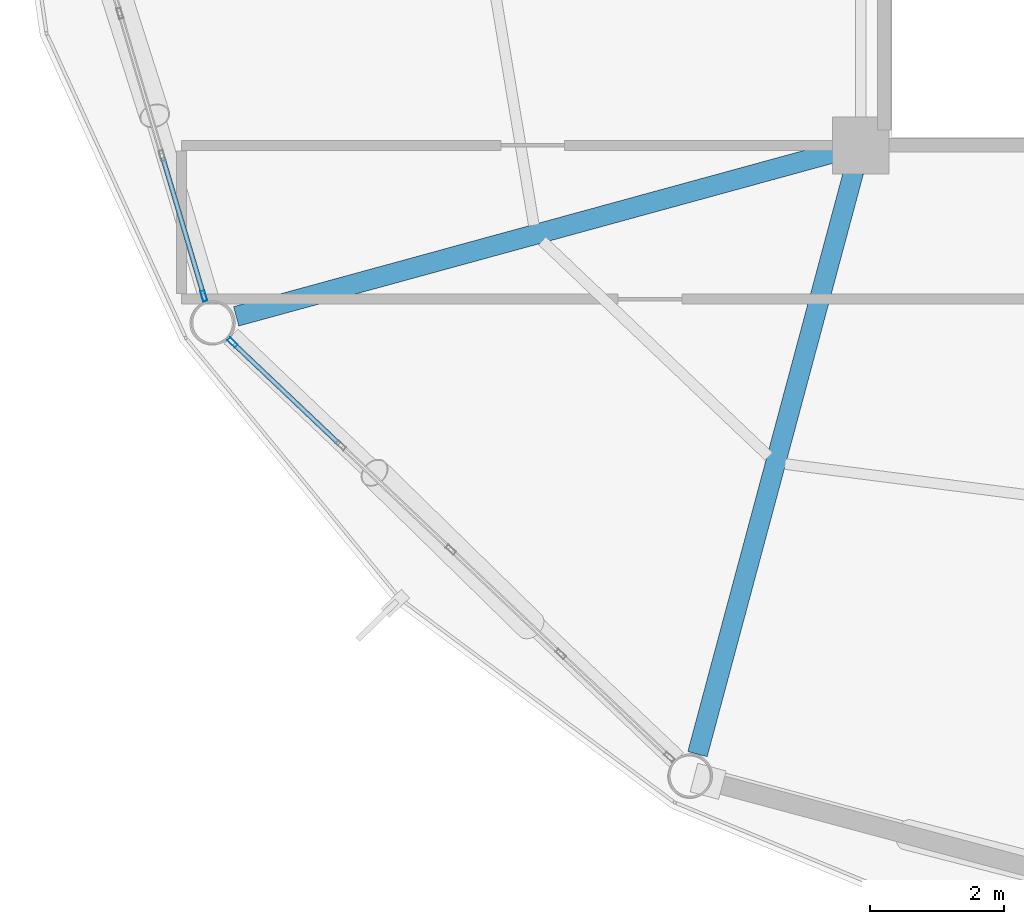
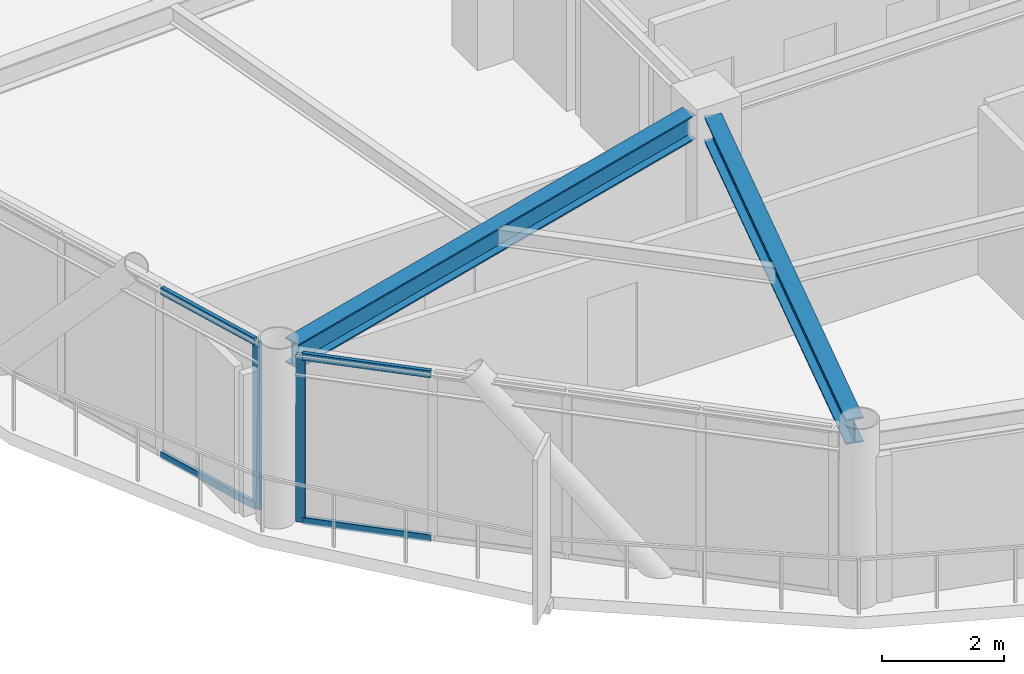
# One storey, part 4 of 28: 6 members, 2 beams, 2 elements without a shape of their own.
"""IFC4 building model written with IfcOpenShell, lengths in metres."""

from ifc_helpers import new_model, si_unit, direction, frame, origin, origin_2d, place, context, subcontext, project, spatial, hollow_rectangle, i_section, extrude, material, layer, layer_set, material_profile, profile_set, type_object, element, aggregate, save


model = new_model("IFC4")

# Units and contexts
model_context = context("Model", 3, precision=1e-05, world=origin(), true_north=direction((0.0, 1.0)))
body_context = subcontext(model_context, "Body", "Model", "MODEL_VIEW")
ifc_project = project(units=[si_unit("LENGTHUNIT", "METRE"), si_unit("AREAUNIT", "SQUARE_METRE"), si_unit("VOLUMEUNIT", "CUBIC_METRE"), si_unit("PLANEANGLEUNIT", "RADIAN"), si_unit("MASSUNIT", "GRAM", prefix="KILO")], contexts=[model_context])

# Site, building, storey
site_placement = place(None, origin())
site = spatial("IfcSite", under=ifc_project, at=site_placement, CompositionType="ELEMENT")
building_placement = place(site_placement, origin())
building = spatial("IfcBuilding", under=site, at=building_placement, Name="Varnakorn Sky Granary", CompositionType="ELEMENT")
storey_placement = place(building_placement, frame((0.0, 0.0, 186.0)))
storey = spatial("IfcBuildingStorey", under=building, at=storey_placement, Name="L46", CompositionType="ELEMENT", Elevation=186.0)

# Beams
ifc_material_1 = material(Name="Steel S355JR", Category="steel")
ifc_material_profile_1 = material_profile(ifc_material_1, i_section(OverallWidth=0.300048828125, OverallDepth=0.5, WebThickness=0.014404296875, FlangeThickness=0.028076171875, at=origin_2d()), Name="HE 500 B")
ifc_profile_set_1 = profile_set([ifc_material_profile_1], Name="Steel S355JR")
beam_type = type_object("IfcBeamType", Name="BM-RAD-Z4", PredefinedType="BEAM", material=ifc_profile_set_1)
beam_1_placement = place(storey_placement, frame((-2.740478515625, -6.70703125, 3.110107421875), z_axis=(-0.964483830461, -0.264141895159, 0.0), x_axis=(0.264141895159, -0.964483830461, 0.0)))
element("IfcBeam", 1, at=beam_1_placement, inside=storey, type_object=beam_type, Name="Radial Floor Girder RG08 L46", PredefinedType="BEAM", context=body_context, shape_type="SweptSolid", body=[
    extrude(i_section(OverallWidth=0.300048828125, OverallDepth=0.5, WebThickness=0.014404296875, FlangeThickness=0.028076171875, at=origin_2d()), origin(), (0.0, 0.0, 1.0), 9.274169921875),
])
beam_2_placement = place(storey_placement, frame((-2.454833984375, -6.9912109375, 3.110107421875), z_axis=(-0.259020751431, -0.965871756668, 0.0), x_axis=(0.965871756668, -0.259020751431, 0.0)))
element("IfcBeam", 2, at=beam_2_placement, inside=storey, type_object=beam_type, Name="Radial Floor Girder RG09 L46", PredefinedType="BEAM", context=body_context, shape_type="SweptSolid", body=[
    extrude(i_section(OverallWidth=0.300048828125, OverallDepth=0.5, WebThickness=0.014404296875, FlangeThickness=0.028076171875, at=origin_2d()), origin(), (0.0, 0.0, 1.0), 9.016357421875),
])

# Curtain wall, member
ifc_material_2 = material(Name="Anodised Bronze Aluminium Alloy 6063-T6", Category="aluminium")
ifc_layer = layer(ifc_material_2, 0.169921875, Name="Anodised Bronze Aluminium Alloy 6063-T6")
ifc_layer_set = layer_set([ifc_layer], Name="Anodised Bronze Aluminium Alloy 6063-T6")
curtain_wall_type = type_object("IfcCurtainWallType", Name="CW-LAB-1", PredefinedType="USERDEFINED", material=ifc_layer_set)
curtain_wall_1_placement = place(storey_placement, origin())
curtain_wall_1 = element("IfcCurtainWall", 3, at=curtain_wall_1_placement, inside=storey, type_object=curtain_wall_type, Name="Unitised Curtain Wall CW5 CW-L46-B07", ObjectType="CURTAIN WALL", PredefinedType="USERDEFINED")
ifc_material_profile_2 = material_profile(ifc_material_2, hollow_rectangle(XDim=0.06494140625, YDim=0.159912109375, WallThickness=0.00341796875, at=origin_2d()), Name="ALU MULL 65x160")
ifc_profile_set_2 = profile_set([ifc_material_profile_2], Name="Anodised Bronze Aluminium Alloy 6063-T6")
member_type_1 = type_object("IfcMemberType", Name="CW-LAB-1-MULL", PredefinedType="MULLION", material=ifc_profile_set_2)
member_1_placement = place(storey_placement, frame((-12.168212890625, -8.8515625, 0.0), z_axis=(0.0, 0.0, 1.0), x_axis=(-0.958613672651, -0.28471007465, 0.0)))
member_1 = element("IfcMember", 4, at=member_1_placement, type_object=member_type_1, Name="CW5 mullion 1", PredefinedType="MULLION", context=body_context, shape_type="SweptSolid", body=[
    extrude(hollow_rectangle(XDim=0.06494140625, YDim=0.159912109375, WallThickness=0.00341796875, at=origin_2d()), origin(), (0.0, 0.0, 1.0), 3.360107421875),
])

curtain_wall_2_placement = place(storey_placement, origin())
curtain_wall_2 = element("IfcCurtainWall", 5, at=curtain_wall_2_placement, inside=storey, type_object=curtain_wall_type, Name="Unitised Curtain Wall CW5 CW-L46-B08", ObjectType="CURTAIN WALL", PredefinedType="USERDEFINED")
member_2_placement = place(storey_placement, frame((-11.741455078125, -9.54736328125, 0.0), z_axis=(0.0, 0.0, 1.0), x_axis=(-0.688291544345, -0.725434180325, 0.0)))
member_2 = element("IfcMember", 6, at=member_2_placement, type_object=member_type_1, Name="CW5 mullion 5", PredefinedType="MULLION", context=body_context, shape_type="SweptSolid", body=[
    extrude(hollow_rectangle(XDim=0.06494140625, YDim=0.159912109375, WallThickness=0.00341796875, at=origin_2d()), origin(), (0.0, 0.0, 1.0), 3.360107421875),
])

# Member
ifc_material_profile_3 = material_profile(ifc_material_2, hollow_rectangle(XDim=0.070068359375, YDim=0.139892578125, WallThickness=0.00341796875, at=origin_2d()), Name="ALU TRAN 70x140")
ifc_profile_set_3 = profile_set([ifc_material_profile_3], Name="Anodised Bronze Aluminium Alloy 6063-T6")
member_type_2 = type_object("IfcMemberType", Name="CW-LAB-1-TRAN", PredefinedType="USERDEFINED", material=ifc_profile_set_3)
member_3_placement = place(storey_placement, frame((-12.177490234375, -8.8203125, 0.034912109375), z_axis=(-0.284707350293, 0.958614481786, 0.0), x_axis=(-0.958614481786, -0.284707350293, 0.0)))
member_3 = element("IfcMember", 7, at=member_3_placement, type_object=member_type_2, Name="CW5 transom 1.1", ObjectType="TRANSOM", PredefinedType="USERDEFINED", context=body_context, shape_type="SweptSolid", body=[
    extrude(hollow_rectangle(XDim=0.070068359375, YDim=0.139892578125, WallThickness=0.00341796875, at=origin_2d()), origin(), (0.0, 0.0, 1.0), 2.12158203125),
])

member_4_placement = place(storey_placement, frame((-12.177490234375, -8.8203125, 3.324951171875), z_axis=(-0.284707350293, 0.958614481786, 0.0), x_axis=(-0.958614481786, -0.284707350293, 0.0)))
member_4 = element("IfcMember", 8, at=member_4_placement, type_object=member_type_2, Name="CW5 transom 1.2", ObjectType="TRANSOM", PredefinedType="USERDEFINED", context=body_context, shape_type="SweptSolid", body=[
    extrude(hollow_rectangle(XDim=0.070068359375, YDim=0.139892578125, WallThickness=0.00341796875, at=origin_2d()), origin(), (0.0, 0.0, 1.0), 2.12158203125),
])

aggregate(curtain_wall_1, [member_1, member_3, member_4])

member_5_placement = place(storey_placement, frame((-10.14453125, -11.0625, 0.034912109375), z_axis=(-0.72538154672, 0.688347013997, 0.0), x_axis=(-0.688347013997, -0.72538154672, 0.0)))
member_5 = element("IfcMember", 9, at=member_5_placement, type_object=member_type_2, Name="CW5 transom 4.1", ObjectType="TRANSOM", PredefinedType="USERDEFINED", context=body_context, shape_type="SweptSolid", body=[
    extrude(hollow_rectangle(XDim=0.070068359375, YDim=0.139892578125, WallThickness=0.00341796875, at=origin_2d()), origin(), (0.0, 0.0, 1.0), 2.1689453125),
])

member_6_placement = place(storey_placement, frame((-10.14453125, -11.0625, 3.324951171875), z_axis=(-0.72538154672, 0.688347013997, 0.0), x_axis=(-0.688347013997, -0.72538154672, 0.0)))
member_6 = element("IfcMember", 10, at=member_6_placement, type_object=member_type_2, Name="CW5 transom 4.2", ObjectType="TRANSOM", PredefinedType="USERDEFINED", context=body_context, shape_type="SweptSolid", body=[
    extrude(hollow_rectangle(XDim=0.070068359375, YDim=0.139892578125, WallThickness=0.00341796875, at=origin_2d()), origin(), (0.0, 0.0, 1.0), 2.1689453125),
])

aggregate(curtain_wall_2, [member_2, member_5, member_6])

save(model, "model.ifc")
